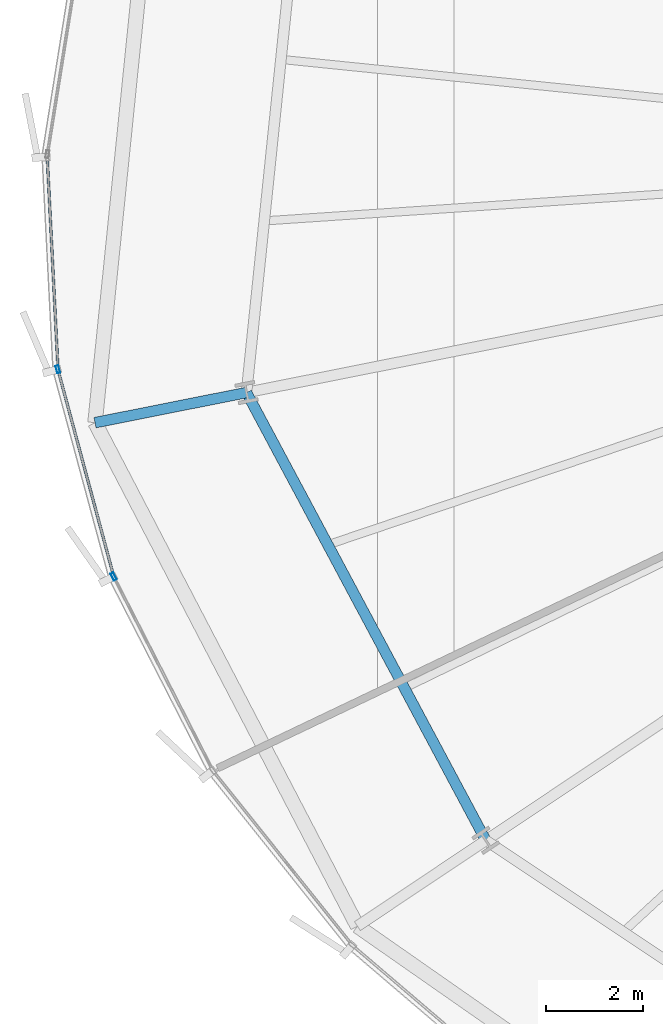
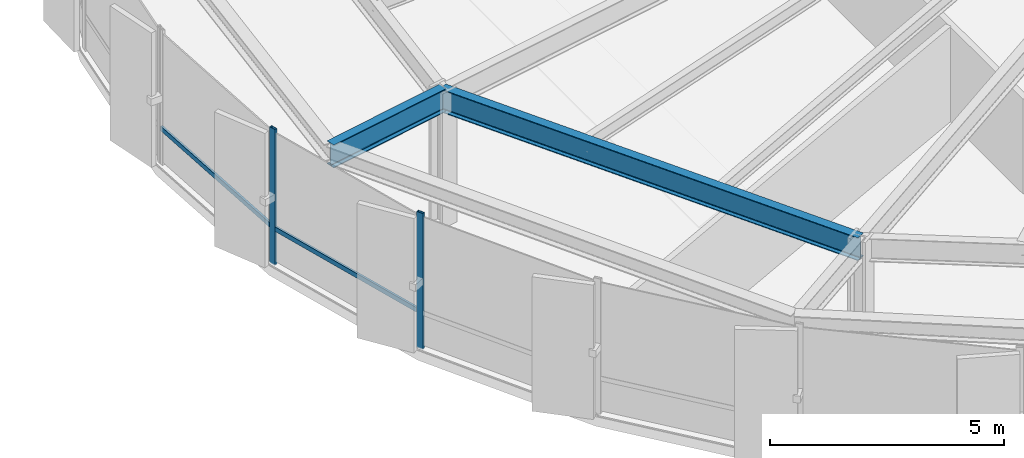
# One storey, part 6 of 38: 4 members, 2 beams, 1 element without a shape of its own.
"""IFC4 building model written with IfcOpenShell, lengths in metres."""

from ifc_helpers import new_model, si_unit, direction, frame, origin, origin_2d, place, context, subcontext, project, spatial, hollow_rectangle, i_section, extrude, source, transform, mapped, material, layer, layer_set, material_profile, profile_set, type_object, element, aggregate, save


model = new_model("IFC4")

# Units and contexts
model_context = context("Model", 3, precision=1e-05, world=origin(), true_north=direction((0.0, 1.0)))
body_context = subcontext(model_context, "Body", "Model", "MODEL_VIEW")
ifc_project = project(units=[si_unit("LENGTHUNIT", "METRE"), si_unit("AREAUNIT", "SQUARE_METRE"), si_unit("VOLUMEUNIT", "CUBIC_METRE"), si_unit("PLANEANGLEUNIT", "RADIAN"), si_unit("MASSUNIT", "GRAM", prefix="KILO"), si_unit("THERMODYNAMICTEMPERATUREUNIT", "KELVIN")], contexts=[model_context])

# Site, building, storey
site_placement = place(None, origin())
site = spatial("IfcSite", under=ifc_project, at=site_placement, CompositionType="ELEMENT")
building_placement = place(site_placement, origin())
building = spatial("IfcBuilding", under=site, at=building_placement, Name="Kethvar Cultural Tower", CompositionType="ELEMENT")
storey_placement = place(building_placement, frame((0.0, 0.0, 67.60009765625)))
storey = spatial("IfcBuildingStorey", under=building, at=storey_placement, Name="L16", CompositionType="ELEMENT", Elevation=67.60009765625)

# Beams
ifc_material_1 = material(Name="Steel S355J2", Category="steel")
ifc_material_profile_1 = material_profile(ifc_material_1, i_section(OverallWidth=0.219970703125, OverallDepth=0.60009765625, WebThickness=0.011962890625, FlangeThickness=0.01904296875, FilletRadius=0.02392578125, at=origin_2d()), Name="Steel S355J2 — IPE600")
ifc_profile_set_1 = profile_set([ifc_material_profile_1], Name="Steel S355J2 — IPE600")
beam_type = type_object("IfcBeamType", Name="BM-IPE600", PredefinedType="BEAM", material=ifc_profile_set_1)
shared_shape_1 = source(origin(), body_context, "Body", "SweptSolid", [
    extrude(i_section(OverallWidth=0.219970703125, OverallDepth=0.60009765625, WebThickness=0.011962890625, FlangeThickness=0.01904296875, FilletRadius=0.02392578125, at=origin_2d()), origin(), (0.0, 0.0, 1.0), 3.199951171875),
])
beam_1_placement = place(storey_placement, frame((19.9658203125, 22.46240234375, 3.247802734375), z_axis=(-0.980785550224, -0.195088965533, 0.0), x_axis=(0.195088965533, -0.980785550224, 0.0)))
element("IfcBeam", 1, at=beam_1_placement, inside=storey, type_object=beam_type, Name="L16 Perimeter Cantilever Beam RC-09", PredefinedType="BEAM", context=body_context, shape_type="MappedRepresentation", body=[
    mapped(shared_shape_1, transform((0.0, 0.0, 0.0), scale=1.0)),
])
shared_shape_2 = source(origin(), body_context, "Body", "SweptSolid", [
    extrude(i_section(OverallWidth=0.219970703125, OverallDepth=0.60009765625, WebThickness=0.011962890625, FlangeThickness=0.01904296875, FilletRadius=0.02392578125, at=origin_2d()), origin(), (0.0, 0.0, 1.0), 10.52099609375),
])
beam_2_placement = place(storey_placement, frame((19.9658203125, 22.46240234375, 3.247802734375), z_axis=(0.471339616984, -0.881951793162, 0.0), x_axis=(0.881951793162, 0.471339616984, 0.0)))
element("IfcBeam", 2, at=beam_2_placement, inside=storey, type_object=beam_type, Name="L16 Column Ring Tie Beam CR-09", PredefinedType="BEAM", context=body_context, shape_type="MappedRepresentation", body=[
    mapped(shared_shape_2, transform((0.0, 0.0, 0.0), scale=1.0)),
])

# Curtain wall, members
ifc_material_2 = material(Name="Aluminium 6063-T6", Category="aluminium")
ifc_layer = layer(ifc_material_2, 0.179931640625, Name="Aluminium 6063-T6", Category="aluminium")
ifc_layer_set = layer_set([ifc_layer], Name="Aluminium 6063-T6 (180 mm)")
curtain_wall_type = type_object("IfcCurtainWallType", Name="CW-SYS-02-Z1", PredefinedType="NOTDEFINED", material=ifc_layer_set)
curtain_wall_placement = place(storey_placement, origin())
curtain_wall = element("IfcCurtainWall", 3, at=curtain_wall_placement, inside=storey, type_object=curtain_wall_type, Name="L16 Curtain Wall Run 04", PredefinedType="NOTDEFINED")
ifc_material_profile_2 = material_profile(ifc_material_2, hollow_rectangle(XDim=0.06494140625, YDim=0.159912109375, WallThickness=0.0048828125, at=origin_2d()), Name="Aluminium 6063-T6 — RHS160x65x5")
ifc_profile_set_2 = profile_set([ifc_material_profile_2], Name="Aluminium 6063-T6 — RHS160x65x5")
member_type_1 = type_object("IfcMemberType", Name="CW-SYS-02-Z1-MUL", PredefinedType="MULLION", material=ifc_profile_set_2)
shared_shape_3 = source(origin(), body_context, "Body", "SweptSolid", [
    extrude(hollow_rectangle(XDim=0.06494140625, YDim=0.159912109375, WallThickness=0.0048828125, at=origin_2d()), origin(), (0.0, 0.0, 1.0), 3.5498046875),
])
member_1_placement = place(storey_placement, frame((16.0576171875, 22.943603515625, 0.0), z_axis=(0.0, 0.0, 1.0), x_axis=(0.965513538921, 0.260352849343, 0.0)))
member_1 = element("IfcMember", 4, at=member_1_placement, type_object=member_type_1, Name="CW-L16-R04 Mullion 2", PredefinedType="MULLION", context=body_context, shape_type="MappedRepresentation", body=[
    mapped(shared_shape_3, transform((0.0, 0.0, 0.0), scale=1.0)),
])
member_2_placement = place(storey_placement, frame((17.212890625, 18.648681640625, 0.0), z_axis=(0.0, 0.0, 1.0), x_axis=(0.890212804611, 0.455544907234, 0.0)))
member_2 = element("IfcMember", 5, at=member_2_placement, type_object=member_type_1, Name="CW-L16-R04 Mullion 3", PredefinedType="MULLION", context=body_context, shape_type="MappedRepresentation", body=[
    mapped(shared_shape_3, transform((0.0, 0.0, 0.0), scale=1.0)),
])
ifc_material_profile_3 = material_profile(ifc_material_2, hollow_rectangle(XDim=0.054931640625, YDim=0.1201171875, WallThickness=0.00390625, at=origin_2d()), Name="Aluminium 6063-T6 — RHS120x55x4")
ifc_profile_set_3 = profile_set([ifc_material_profile_3], Name="Aluminium 6063-T6 — RHS120x55x4")
member_type_2 = type_object("IfcMemberType", Name="CW-SYS-02-Z1-TRN", PredefinedType="USERDEFINED", material=ifc_profile_set_3)
shared_shape_4 = source(origin(), body_context, "Body", "SweptSolid", [
    extrude(hollow_rectangle(XDim=0.054931640625, YDim=0.1201171875, WallThickness=0.00390625, at=origin_2d()), origin(), (0.0, 0.0, 1.0), 4.379150390625),
])
member_3_placement = place(storey_placement, frame((15.8369140625, 27.3388671875, 0.949951171875), z_axis=(0.050732843405, -0.998712260163, 0.0), x_axis=(0.998712260163, 0.050732843405, 0.0)))
member_3 = element("IfcMember", 6, at=member_3_placement, type_object=member_type_2, Name="CW-L16-R04 Transom 1", ObjectType="TRANSOM", PredefinedType="USERDEFINED", context=body_context, shape_type="MappedRepresentation", body=[
    mapped(shared_shape_4, transform((0.0, 0.0, 0.0), scale=1.0)),
])
shared_shape_5 = source(origin(), body_context, "Body", "SweptSolid", [
    extrude(hollow_rectangle(XDim=0.054931640625, YDim=0.1201171875, WallThickness=0.00390625, at=origin_2d()), origin(), (0.0, 0.0, 1.0), 4.37939453125),
])
member_4_placement = place(storey_placement, frame((16.069580078125, 22.898681640625, 0.949951171875), z_axis=(0.260347317555, -0.965515030563, 0.0), x_axis=(0.965515030563, 0.260347317555, 0.0)))
member_4 = element("IfcMember", 7, at=member_4_placement, type_object=member_type_2, Name="CW-L16-R04 Transom 2", ObjectType="TRANSOM", PredefinedType="USERDEFINED", context=body_context, shape_type="MappedRepresentation", body=[
    mapped(shared_shape_5, transform((0.0, 0.0, 0.0), scale=1.0)),
])
aggregate(curtain_wall, [member_1, member_2, member_3, member_4])

save(model, "model.ifc")
